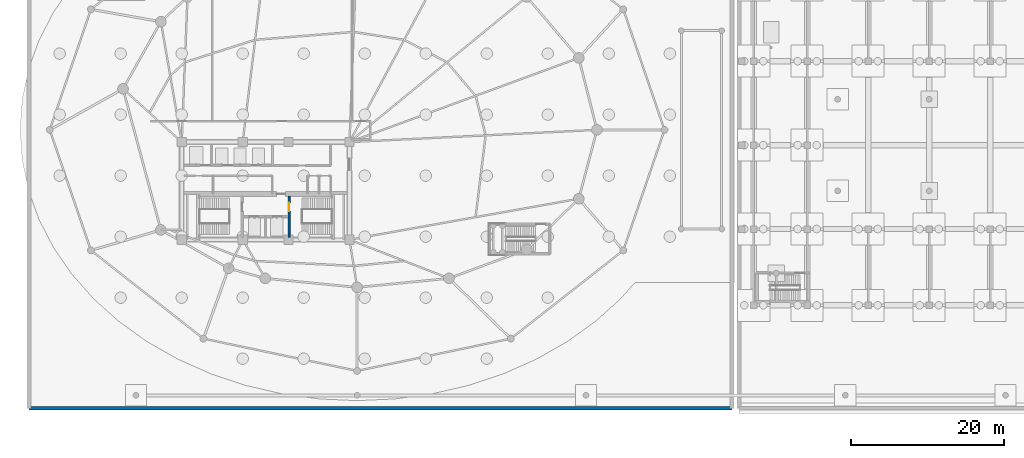
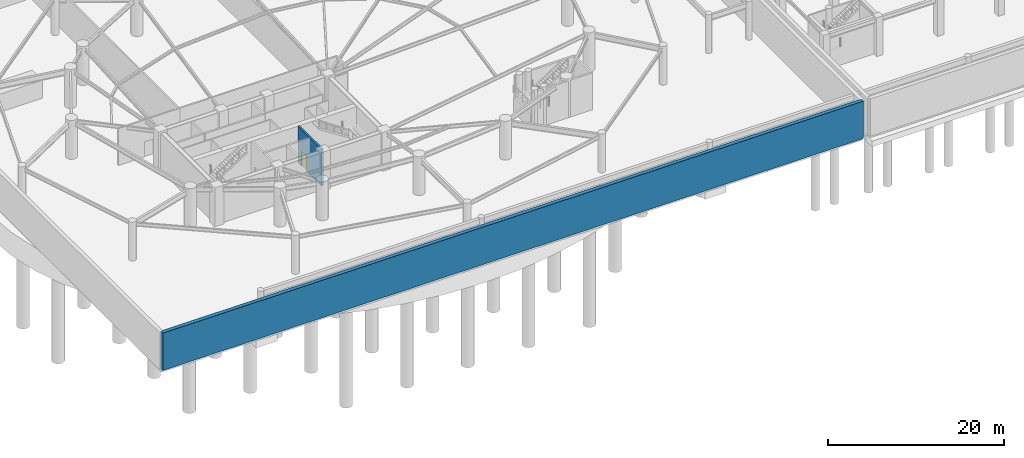
# One storey, part 8 of 22: 2 walls, 1 door, 1 opening.
"""IFC4 building model written with IfcOpenShell, lengths in metres."""

import ifcopenshell
import ifcopenshell.guid

model = None  # the IFC model being written
_history = None  # IfcOwnerHistory: only IFC2X3 demands one
_inside = {}  # id of a spatial element -> (the spatial element, [elements in it])
_under = {}  # id of a project, library or spatial element -> (it, [spatial elements below it])
_declared = {}  # id of a project -> (the project, [libraries it declares])
_typed = {}  # id of a type object -> (the type object, [elements of that type])
_made_of = {}  # id of a material, layer set ... -> (it, [elements and type objects made of it])


def new_model(schema):
    """Start an empty IFC model of exactly this schema.

    Asked for "IFC4X3", IfcOpenShell would pick the latest addendum, in which some entities
    have other attributes; the version numbers below select the first issue.
    IFC2X3 requires an IfcOwnerHistory on every rooted entity: one is made here for all.
    """
    global model, _history
    if schema == "IFC4X3":
        model = ifcopenshell.file(schema_version=(4, 3, 0, 0))
    else:
        model = ifcopenshell.file(schema=schema)
    _inside.clear()
    _under.clear()
    _declared.clear()
    _typed.clear()
    _made_of.clear()
    _history = None
    if model.schema == "IFC2X3":
        org = make("IfcOrganization", Name="unknown")
        user = make(
            "IfcPersonAndOrganization",
            ThePerson=make("IfcPerson", FamilyName="unknown"),
            TheOrganization=org,
        )
        app = make(
            "IfcApplication",
            ApplicationDeveloper=org,
            Version="unknown",
            ApplicationFullName="unknown",
            ApplicationIdentifier="unknown",
        )
        _history = make(
            "IfcOwnerHistory",
            OwningUser=user,
            OwningApplication=app,
            ChangeAction="ADDED",
            CreationDate=0,
        )
    return model


def make(cls, **values):
    """One entity of the class cls with the attributes given. An attribute that is None is left unset."""
    return model.create_entity(
        cls, **{name: value for name, value in values.items() if value is not None}
    )


def rooted(cls, **values):
    """An entity with a GlobalId (a new one), such as an element, a storey or a relation."""
    return make(cls, GlobalId=ifcopenshell.guid.new(), OwnerHistory=_history, **values)


def si_unit(unit_type, name, prefix=None):
    """IfcSIUnit, for example si_unit("LENGTHUNIT", "METRE", prefix="MILLI")."""
    return make("IfcSIUnit", UnitType=unit_type, Prefix=prefix, Name=name)


def assignment(units):
    """IfcUnitAssignment: the units of a project."""
    return None if units is None else make("IfcUnitAssignment", Units=units)


def point(xyz):
    """IfcCartesianPoint."""
    return None if xyz is None else make("IfcCartesianPoint", Coordinates=xyz)


def direction(xyz):
    """IfcDirection."""
    return None if xyz is None else make("IfcDirection", DirectionRatios=xyz)


def frame(location, z_axis=None, x_axis=None):
    """IfcAxis2Placement3D, a coordinate frame: its origin and axes. An axis left out is left unset."""
    return make(
        "IfcAxis2Placement3D",
        Location=point(location),
        Axis=direction(z_axis),
        RefDirection=direction(x_axis),
    )


def frame_2d(location, x_axis=None):
    """IfcAxis2Placement2D, a coordinate frame in the plane: its origin and x axis."""
    return make(
        "IfcAxis2Placement2D", Location=point(location), RefDirection=direction(x_axis)
    )


def origin():
    """The frame at (0, 0, 0) with its axes left unset."""
    return frame((0.0, 0.0, 0.0))


def place(relative_to, where):
    """IfcLocalPlacement: puts the frame where relative to a parent placement (None: the world)."""
    return make(
        "IfcLocalPlacement", PlacementRelTo=relative_to, RelativePlacement=where
    )


def context(
    kind, dimensions, precision=None, world=None, true_north=None, identifier=None
):
    """IfcGeometricRepresentationContext, for example the 3D "Model" context."""
    return make(
        "IfcGeometricRepresentationContext",
        ContextIdentifier=identifier,
        ContextType=kind,
        CoordinateSpaceDimension=dimensions,
        Precision=precision,
        WorldCoordinateSystem=world,
        TrueNorth=true_north,
    )


def subcontext(parent, identifier, kind, view, scale=None):
    """IfcGeometricRepresentationSubContext, for example "Body" below "Model"."""
    return make(
        "IfcGeometricRepresentationSubContext",
        ContextIdentifier=identifier,
        ContextType=kind,
        ParentContext=parent,
        TargetScale=scale,
        TargetView=view,
    )


def project(units=None, contexts=None):
    """IfcProject with its units and contexts."""
    return rooted(
        "IfcProject",
        Name="project",
        RepresentationContexts=contexts,
        UnitsInContext=assignment(units),
    )


def spatial(cls, under=None, at=None, **own):
    """A site, building, storey or space (cls), placed at a placement, below another one or the project."""
    s = rooted(cls, ObjectPlacement=at, **own)
    if under is not None:
        _under.setdefault(under.id(), (under, []))[1].append(s)
    return s


def profile(cls, at=None, kind="AREA", **sizes):
    """A parametric profile (cls). Its sizes go by their IFC names, for example OverallWidth=200.0."""
    return make(cls, ProfileType=kind, Position=at, **sizes)


def rectangle(**sizes):
    """IfcRectangleProfileDef."""
    return profile("IfcRectangleProfileDef", **sizes)


def extrude(swept, where, along, depth):
    """IfcExtrudedAreaSolid: the profile swept, set in the frame where, extruded along a direction by depth."""
    return make(
        "IfcExtrudedAreaSolid",
        SweptArea=swept,
        Position=where,
        ExtrudedDirection=direction(along),
        Depth=depth,
    )


def shape(context_of_items, identifier, shape_type, items):
    """IfcShapeRepresentation: the items that make up one representation, for example the "Body"."""
    return make(
        "IfcShapeRepresentation",
        ContextOfItems=context_of_items,
        RepresentationIdentifier=identifier,
        RepresentationType=shape_type,
        Items=items,
    )


def material(Name=None, Category=None):
    """IfcMaterial."""
    return make("IfcMaterial", Name=Name, Category=Category)


def layer(
    of_material, thickness, ventilated=None, Name=None, Category=None, Priority=None
):
    """IfcMaterialLayer: one layer of a wall or slab, of a material (None: an air gap)."""
    return make(
        "IfcMaterialLayer",
        Material=of_material,
        LayerThickness=thickness,
        IsVentilated=ventilated,
        Name=Name,
        Category=Category,
        Priority=Priority,
    )


def layer_set(layers, Name=None):
    """IfcMaterialLayerSet."""
    return make("IfcMaterialLayerSet", MaterialLayers=layers, LayerSetName=Name)


def made_of(thing, what):
    """Note that an element or type object is made of a material, layer set ...; save() writes the relation."""
    if what is not None:
        _made_of.setdefault(what.id(), (what, []))[1].append(thing)
    return thing


def type_object(cls, material=None, **own):
    """A type object (cls), such as IfcWallType, which elements share."""
    return made_of(rooted(cls, **own), material)


def element(
    cls,
    number,
    at=None,
    inside=None,
    cuts=None,
    type_object=None,
    material=None,
    context=None,
    identifier="Body",
    shape_type=None,
    held_by="IfcProductDefinitionShape",
    body=None,
    shapes=None,
    **own,
):
    """One element of the class cls, such as IfcWall. Its Tag is "e" and its number.

    at: its placement. inside: the storey or other place that contains it. cuts: it is an
    opening in that element (IfcRelVoidsElement). A single representation is given by context,
    identifier, shape_type and body (its items); several are given by shapes. held_by: the class
    of the entity that holds the representations. save() writes the other relations.
    """
    e = rooted(cls, Tag="e%d" % number, ObjectPlacement=at, **own)
    if body is not None:
        shapes = [shape(context, identifier, shape_type, body)]
    if shapes is not None:
        e.Representation = make(held_by, Representations=shapes)
    if inside is not None:
        _inside.setdefault(inside.id(), (inside, []))[1].append(e)
    if cuts is not None:
        rooted(
            "IfcRelVoidsElement", RelatingBuildingElement=cuts, RelatedOpeningElement=e
        )
    if type_object is not None:
        _typed.setdefault(type_object.id(), (type_object, []))[1].append(e)
    return made_of(e, material)


def fill(opening, filler):
    """IfcRelFillsElement: the door or window that sits in an opening."""
    return rooted(
        "IfcRelFillsElement",
        RelatingOpeningElement=opening,
        RelatedBuildingElement=filler,
    )


def aggregate(whole, parts):
    """IfcRelAggregates: a whole, such as a stair, and the parts it consists of."""
    return rooted("IfcRelAggregates", RelatingObject=whole, RelatedObjects=parts)


def save(model, path):
    """Write the relations noted so far, then the file.

    IfcRelAggregates (storeys below a building ...), IfcRelContainedInSpatialStructure (elements
    in a storey), IfcRelDefinesByType, IfcRelAssociatesMaterial and IfcRelDeclares: one each for
    every whole, place, type object, material and project.
    """
    for whole, parts in _under.values():
        aggregate(whole, parts)
    for where, things in _inside.values():
        rooted(
            "IfcRelContainedInSpatialStructure",
            RelatedElements=things,
            RelatingStructure=where,
        )
    for kind, things in _typed.values():
        rooted("IfcRelDefinesByType", RelatedObjects=things, RelatingType=kind)
    for what, things in _made_of.values():
        rooted("IfcRelAssociatesMaterial", RelatedObjects=things, RelatingMaterial=what)
    for by, libraries in _declared.values():
        rooted("IfcRelDeclares", RelatingContext=by, RelatedDefinitions=libraries)
    model.write(path)


model = new_model("IFC4")

# Units and contexts
model_context = context("Model", 3, precision=1e-05, world=origin(), true_north=direction((0.0, 1.0)))
body_context = subcontext(model_context, "Body", "Model", "MODEL_VIEW")
ifc_project = project(units=[si_unit("LENGTHUNIT", "METRE"), si_unit("AREAUNIT", "SQUARE_METRE"), si_unit("VOLUMEUNIT", "CUBIC_METRE"), si_unit("PLANEANGLEUNIT", "RADIAN"), si_unit("MASSUNIT", "GRAM", prefix="KILO")], contexts=[model_context])

# Site, building, storey
site_placement = place(None, origin())
site = spatial("IfcSite", under=ifc_project, at=site_placement, CompositionType="ELEMENT")
building_placement = place(site_placement, origin())
building = spatial("IfcBuilding", under=site, at=building_placement, Name="Kazevale Care Tower and Concert Hall", CompositionType="ELEMENT")
storey_placement = place(building_placement, frame((0.0, 0.0, -5.39990234375)))
storey = spatial("IfcBuildingStorey", under=building, at=storey_placement, Name="B1", CompositionType="ELEMENT", Elevation=-5.39990234375)

# Wall
ifc_material_1 = material(Name="Concrete C50", Category="concrete")
ifc_layer_1 = layer(ifc_material_1, 0.5)
ifc_layer_set_1 = layer_set([ifc_layer_1], Name="Concrete C50")
wall_type_1 = type_object("IfcWallType", Name="Basement Perimeter Retaining Wall 500 C50", PredefinedType="SHEAR", material=ifc_layer_set_1)
wall_1_placement = place(storey_placement, frame((2.0, 1.5, 0.0), z_axis=(0.0, 0.0, 1.0), x_axis=(1.0, 0.0, 0.0)))
element("IfcWall", 1, at=wall_1_placement, inside=storey, type_object=wall_type_1, Name="wall:B1:ret:1", PredefinedType="SHEAR", context=body_context, shape_type="SweptSolid", body=[
    extrude(rectangle(XDim=92.14990234375, YDim=0.5, at=frame_2d((46.074951171875, 0.0))), origin(), (0.0, 0.0, 1.0), 5.199951171875),
])

# Wall, opening, door
ifc_material_2 = material(Name="Concrete C40", Category="concrete")
ifc_layer_2 = layer(ifc_material_2, 0.25)
ifc_layer_set_2 = layer_set([ifc_layer_2], Name="Concrete C40")
wall_type_2 = type_object("IfcWallType", Name="Pressurized Stair Shaft Wall 250", PredefinedType="SOLIDWALL", material=ifc_layer_set_2)
wall_2_placement = place(storey_placement, frame((36.080078125, 23.89990234375, 0.0), z_axis=(0.0, 0.0, 1.0), x_axis=(0.0, 1.0, 0.0)))
wall_2 = element("IfcWall", 2, at=wall_2_placement, inside=storey, type_object=wall_type_2, Name="wall:B1:c_st2_w", PredefinedType="SOLIDWALL", context=body_context, shape_type="SweptSolid", body=[
    extrude(rectangle(XDim=5.400146484375, YDim=0.25, at=frame_2d((2.7001953125, 0.0))), origin(), (0.0, 0.0, 1.0), 5.119873046875),
])
opening_placement = place(wall_2_placement, frame((3.4208984375, 0.0, 0.0)))
opening = element("IfcOpeningElement", 3, at=opening_placement, cuts=wall_2, Name="Opening FD-90", PredefinedType="OPENING", context=body_context, shape_type="SweptSolid", body=[
    extrude(rectangle(XDim=1.14990234375, YDim=2.10009765625, at=frame_2d((0.574951171875, 1.050048828125))), frame((0.0, 0.135009765625, 0.0), z_axis=(0.0, -1.0, 0.0), x_axis=(1.0, 0.0, 0.0)), (0.0, 0.0, 1.0), 0.27001953125),
])
ifc_material_3 = material(Name="Steel ASTM A572 Gr 50", Category="steel")
door_type = type_object("IfcDoorType", Name="Pressurized Stair & Lobby Fire Door 1150x2100", OperationType="NOTDEFINED", PredefinedType="DOOR", material=ifc_material_3)
door_placement = place(opening_placement, origin())
door = element("IfcDoor", 4, at=door_placement, inside=storey, type_object=door_type, Name="door:B1:st2", OperationType="SINGLE_SWING_LEFT", OverallHeight=2.10009765625, OverallWidth=1.14990234375, PredefinedType="DOOR", context=body_context, shape_type="SweptSolid", body=[
    extrude(rectangle(XDim=1.14990234375, YDim=2.10009765625, at=frame_2d((0.574951171875, 1.050048828125))), frame((0.0, 0.02490234375, 0.0), z_axis=(0.0, -1.0, 0.0), x_axis=(1.0, 0.0, 0.0)), (0.0, 0.0, 1.0), 0.050048828125),
])
fill(opening, door)

save(model, "model.ifc")
